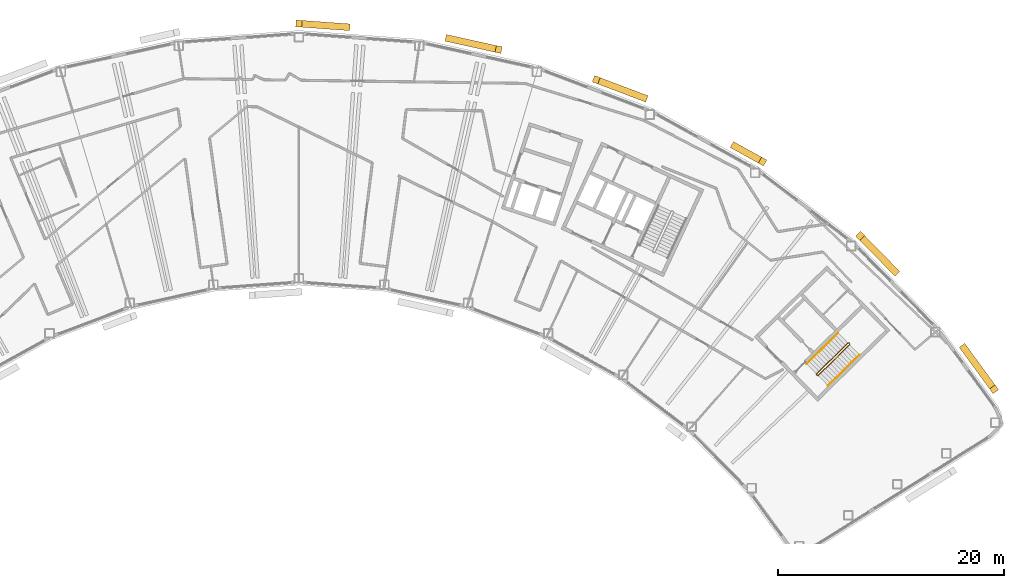
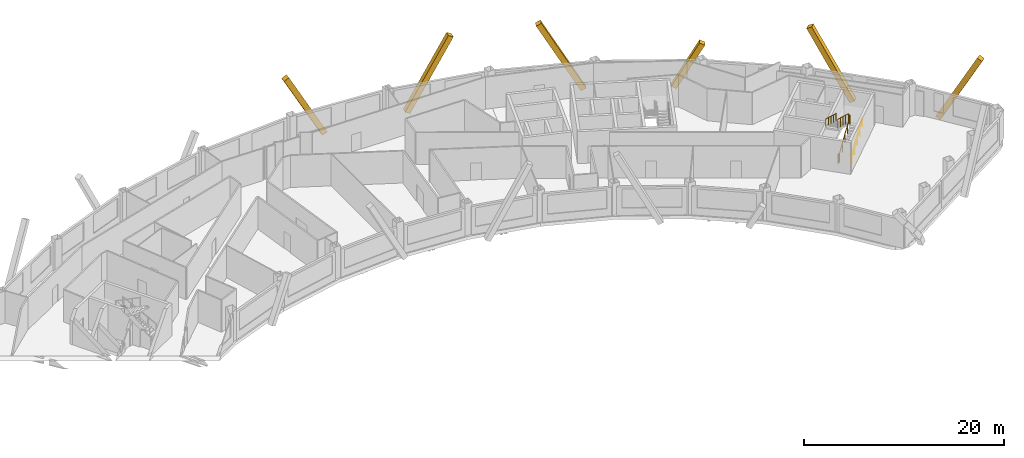
# One storey, part 13 of 13: 6 coverings, 3 railings.
"""IFC4 building model written with IfcOpenShell, lengths in metres."""

from ifc_helpers import new_model, si_unit, direction, frame, origin, origin_2d, place, context, subcontext, project, spatial, rectangle, circle, extrude, material, material_profile, profile_set, type_object, element, save


model = new_model("IFC4")

# Units and contexts
model_context = context("Model", 3, precision=1e-05, world=origin(), true_north=direction((0.0, 1.0)))
body_context = subcontext(model_context, "Body", "Model", "MODEL_VIEW")
ifc_project = project(units=[si_unit("LENGTHUNIT", "METRE"), si_unit("AREAUNIT", "SQUARE_METRE"), si_unit("VOLUMEUNIT", "CUBIC_METRE"), si_unit("PLANEANGLEUNIT", "RADIAN"), si_unit("MASSUNIT", "GRAM", prefix="KILO")], contexts=[model_context])

# Site, building, storey
site_placement = place(None, origin())
site = spatial("IfcSite", under=ifc_project, at=site_placement, CompositionType="ELEMENT")
building_placement = place(site_placement, origin())
building = spatial("IfcBuilding", under=site, at=building_placement, Name="Tuul Gate Civic Tower", CompositionType="ELEMENT")
storey_placement = place(building_placement, frame((0.0, 0.0, 319.699951171875)))
storey = spatial("IfcBuildingStorey", under=building, at=storey_placement, Name="Level 72", CompositionType="ELEMENT", Elevation=319.699951171875)

# Railings
ifc_material_1 = material(Name="Painted steel", Category="steel")
railing_type_1 = type_object("IfcRailingType", Name="Stair guard", PredefinedType="GUARDRAIL", material=ifc_material_1)
railing_1_placement = place(storey_placement, frame((48.10546875, -16.134765625, 0.0)))
element("IfcRailing", 1, at=railing_1_placement, inside=storey, type_object=railing_type_1, Name="Level 72 ST-3 stair guard 1", PredefinedType="GUARDRAIL", context=body_context, shape_type="SweptSolid", body=[
    extrude(circle(Radius=0.02392578125, at=origin_2d()), frame((0.0, 0.0, 1.076171875), z_axis=(-0.698506948293, 0.715603272202, 0.0), x_axis=(-0.715603272202, -0.698506948293, 0.0)), (0.0, 0.0, 1.0), 0.099853515625),
    extrude(circle(Radius=0.02392578125, at=origin_2d()), frame((-0.06982421875, 0.071533203125, 1.076171875), z_axis=(0.644948864628, -0.331432055434, 0.688617277337), x_axis=(0.457068866502, 0.889431307788, 0.0)), (0.0, 0.0, 1.0), 0.218017578125),
    extrude(circle(Radius=0.02392578125, at=origin_2d()), frame((0.07080078125, -0.000732421875, 1.22607421875), z_axis=(0.638731261263, 0.626133563701, 0.447190268558), x_axis=(-0.700029477518, 0.714113947914, 0.0)), (0.0, 0.0, 1.0), 4.3603515625),
    extrude(circle(Radius=0.02392578125, at=origin_2d()), frame((2.85595703125, 2.7294921875, 3.17626953125), z_axis=(0.010380063588, 0.999946125689, 0.0), x_axis=(-0.999946125689, 0.010380063588, 0.0)), (0.0, 0.0, 1.0), 0.070556640625),
    extrude(circle(Radius=0.02392578125, at=origin_2d()), frame((2.856689453125, 2.800048828125, 3.17626953125), z_axis=(-0.699754442181, 0.714383454909, 0.0), x_axis=(-0.714383454909, -0.699754442181, 0.0)), (0.0, 0.0, 1.0), 0.10009765625),
    extrude(circle(Radius=0.02392578125, at=origin_2d()), frame((2.78662109375, 2.87158203125, 3.17626953125), z_axis=(-0.427069033481, 0.004417955519, 0.904208229508), x_axis=(-0.010344274102, -0.999946496565, 0.0)), (0.0, 0.0, 1.0), 0.165771484375),
    extrude(circle(Radius=0.02392578125, at=origin_2d()), frame((2.7158203125, 2.872314453125, 3.326171875), z_axis=(-0.638731261263, -0.626133563701, 0.447190268558), x_axis=(0.700029477518, -0.714113947914, 0.0)), (0.0, 0.0, 1.0), 4.3603515625),
    extrude(circle(Radius=0.02099609375, at=origin_2d()), origin(), (0.0, 0.0, 1.0), 1.052001953125),
    extrude(circle(Radius=0.02099609375, at=origin_2d()), frame((-0.06982421875, 0.071533203125, 0.0)), (0.0, 0.0, 1.0), 1.052001953125),
    extrude(circle(Radius=0.02099609375, at=origin_2d()), frame((0.07080078125, -0.000732421875, 0.150146484375)), (0.0, 0.0, 1.0), 1.052001953125),
    extrude(circle(Radius=0.02099609375, at=origin_2d()), frame((0.76708984375, 0.681884765625, 0.6376953125)), (0.0, 0.0, 1.0), 1.052001953125),
    extrude(circle(Radius=0.02099609375, at=origin_2d()), frame((1.46337890625, 1.3642578125, 1.125)), (0.0, 0.0, 1.0), 1.052001953125),
    extrude(circle(Radius=0.02099609375, at=origin_2d()), frame((2.15966796875, 2.046875, 1.612548828125)), (0.0, 0.0, 1.0), 1.052001953125),
    extrude(circle(Radius=0.02099609375, at=origin_2d()), frame((2.85595703125, 2.7294921875, 2.10009765625)), (0.0, 0.0, 1.0), 1.052001953125),
    extrude(circle(Radius=0.02099609375, at=origin_2d()), frame((2.856689453125, 2.800048828125, 2.10009765625)), (0.0, 0.0, 1.0), 1.052001953125),
    extrude(circle(Radius=0.02099609375, at=origin_2d()), frame((2.78662109375, 2.87158203125, 2.10009765625)), (0.0, 0.0, 1.0), 1.052001953125),
    extrude(circle(Radius=0.02099609375, at=origin_2d()), frame((2.7158203125, 2.872314453125, 2.25)), (0.0, 0.0, 1.0), 1.052001953125),
    extrude(circle(Radius=0.02099609375, at=origin_2d()), frame((2.01953125, 2.189697265625, 2.737548828125)), (0.0, 0.0, 1.0), 1.052001953125),
    extrude(circle(Radius=0.02099609375, at=origin_2d()), frame((1.3232421875, 1.50732421875, 3.22509765625)), (0.0, 0.0, 1.0), 1.052001953125),
    extrude(circle(Radius=0.02099609375, at=origin_2d()), frame((0.626953125, 0.82470703125, 3.71240234375)), (0.0, 0.0, 1.0), 1.052001953125),
    extrude(circle(Radius=0.02099609375, at=origin_2d()), frame((-0.0693359375, 0.14208984375, 4.199951171875)), (0.0, 0.0, 1.0), 1.052001953125),
])
ifc_material_2 = material(Name="Painted steel", Category="steel")
railing_type_2 = type_object("IfcRailingType", Name="Stair handrail", PredefinedType="HANDRAIL", material=ifc_material_2)
railing_2_placement = place(storey_placement, frame((49.05126953125, -17.028076171875, 0.150146484375)))
element("IfcRailing", 2, at=railing_2_placement, inside=storey, type_object=railing_type_2, Name="Level 72 ST-3 stair handrail 1", PredefinedType="HANDRAIL", context=body_context, shape_type="SweptSolid", body=[
    extrude(circle(Radius=0.02392578125, at=origin_2d()), frame((0.0, 0.0, 0.8759765625), z_axis=(0.638753653487, 0.626099522554, 0.447205945863), x_axis=(-0.699997553204, 0.714145241186, 0.0)), (0.0, 0.0, 1.0), 4.3603515625),
    extrude(circle(Radius=0.02099609375, at=origin_2d()), origin(), (0.0, 0.0, 1.0), 0.851806640625),
    extrude(circle(Radius=0.02099609375, at=origin_2d()), frame((0.6962890625, 0.6826171875, 0.487548828125)), (0.0, 0.0, 1.0), 0.851806640625),
    extrude(circle(Radius=0.02099609375, at=origin_2d()), frame((1.392578125, 1.364990234375, 0.97509765625)), (0.0, 0.0, 1.0), 0.851806640625),
    extrude(circle(Radius=0.02099609375, at=origin_2d()), frame((2.0888671875, 2.04736328125, 1.46240234375)), (0.0, 0.0, 1.0), 0.851806640625),
    extrude(circle(Radius=0.02099609375, at=origin_2d()), frame((2.78515625, 2.72998046875, 1.949951171875)), (0.0, 0.0, 1.0), 0.851806640625),
])
railing_3_placement = place(storey_placement, frame((49.9462890625, -12.369873046875, 2.25)))
element("IfcRailing", 3, at=railing_3_placement, inside=storey, type_object=railing_type_2, Name="Level 72 ST-3 stair handrail 2", PredefinedType="HANDRAIL", context=body_context, shape_type="SweptSolid", body=[
    extrude(circle(Radius=0.02392578125, at=origin_2d()), frame((0.0, 0.0, 0.8759765625), z_axis=(-0.638753653487, -0.626099522554, 0.447205945863), x_axis=(0.699997553204, -0.714145241186, 0.0)), (0.0, 0.0, 1.0), 4.3603515625),
    extrude(circle(Radius=0.02099609375, at=origin_2d()), origin(), (0.0, 0.0, 1.0), 0.851806640625),
    extrude(circle(Radius=0.02099609375, at=origin_2d()), frame((-0.6962890625, -0.6826171875, 0.487548828125)), (0.0, 0.0, 1.0), 0.851806640625),
    extrude(circle(Radius=0.02099609375, at=origin_2d()), frame((-1.392578125, -1.364990234375, 0.97509765625)), (0.0, 0.0, 1.0), 0.851806640625),
    extrude(circle(Radius=0.02099609375, at=origin_2d()), frame((-2.0888671875, -2.04736328125, 1.46240234375)), (0.0, 0.0, 1.0), 0.851806640625),
    extrude(circle(Radius=0.02099609375, at=origin_2d()), frame((-2.78515625, -2.72998046875, 1.949951171875)), (0.0, 0.0, 1.0), 0.851806640625),
])

# Coverings
ifc_material_3 = material(Name="Terracotta baguette", Category="masonry")
ifc_material_profile = material_profile(ifc_material_3, rectangle(XDim=0.60009765625, YDim=0.60009765625, at=origin_2d()), Name="Terracotta baguette screen frame")
ifc_profile_set = profile_set([ifc_material_profile], Name="Terracotta baguette")
covering_type = type_object("IfcCoveringType", Name="Terracotta baguette screen frame", PredefinedType="CLADDING", material=ifc_profile_set)
covering_1_placement = place(storey_placement, frame((63.751708984375, -17.356689453125, 8.050048828125), z_axis=(-0.281347031802, 0.385236479627, -0.878883782113), x_axis=(-0.807562783626, -0.58978161255, 0.0)))
element("IfcCovering", 4, at=covering_1_placement, inside=storey, type_object=covering_type, Name="Baguette 17", PredefinedType="CLADDING", context=body_context, shape_type="SweptSolid", body=[
    extrude(rectangle(XDim=0.60009765625, YDim=0.60009765625, at=origin_2d()), origin(), (0.0, 0.0, 1.0), 9.557373046875),
])
covering_2_placement = place(storey_placement, frame((51.885498046875, -3.76123046875, 7.88232421875), z_axis=(0.332656594537, -0.33931077022, -0.879890783747), x_axis=(0.714073915719, 0.700070312819, 0.0)))
element("IfcCovering", 5, at=covering_2_placement, inside=storey, type_object=covering_type, Name="Baguette 32", PredefinedType="CLADDING", context=body_context, shape_type="SweptSolid", body=[
    extrude(rectangle(XDim=0.60009765625, YDim=0.60009765625, at=origin_2d()), origin(), (0.0, 0.0, 1.0), 9.35595703125),
])
covering_3_placement = place(storey_placement, frame((43.252197265625, 2.8125, 4.923828125), z_axis=(-0.415603488122, 0.2303884474, -0.879883460445), x_axis=(-0.484834849005, -0.874605722135, 0.0)))
element("IfcCovering", 6, at=covering_3_placement, inside=storey, type_object=covering_type, Name="Baguette 38", PredefinedType="CLADDING", context=body_context, shape_type="SweptSolid", body=[
    extrude(rectangle(XDim=0.60009765625, YDim=0.60009765625, at=origin_2d()), origin(), (0.0, 0.0, 1.0), 5.99365234375),
])
covering_4_placement = place(storey_placement, frame((28.518310546875, 10.055908203125, 8.050048828125), z_axis=(0.444449007562, -0.168071746228, -0.879895998284), x_axis=(0.353711403676, 0.935354608108, 0.0)))
element("IfcCovering", 7, at=covering_4_placement, inside=storey, type_object=covering_type, Name="Baguette 53", PredefinedType="CLADDING", context=body_context, shape_type="SweptSolid", body=[
    extrude(rectangle(XDim=0.60009765625, YDim=0.60009765625, at=origin_2d()), origin(), (0.0, 0.0, 1.0), 9.54638671875),
])
covering_5_placement = place(storey_placement, frame((19.874755859375, 12.735107421875, 8.050048828125), z_axis=(-0.464036772307, 0.102269663955, -0.879892487627), x_axis=(-0.215226248943, -0.976564212823, 0.0)))
element("IfcCovering", 8, at=covering_5_placement, inside=storey, type_object=covering_type, Name="Baguette 59", PredefinedType="CLADDING", context=body_context, shape_type="SweptSolid", body=[
    extrude(rectangle(XDim=0.60009765625, YDim=0.60009765625, at=origin_2d()), origin(), (0.0, 0.0, 1.0), 9.546630859375),
])
covering_6_placement = place(storey_placement, frame((2.19189453125, 15.031005859375, 7.5517578125), z_axis=(0.473940226349, -0.034336402563, -0.879887307163), x_axis=(0.072259413527, 0.997385871745, 0.0)))
element("IfcCovering", 9, at=covering_6_placement, inside=storey, type_object=covering_type, Name="Baguette 74", PredefinedType="CLADDING", context=body_context, shape_type="SweptSolid", body=[
    extrude(rectangle(XDim=0.60009765625, YDim=0.60009765625, at=origin_2d()), origin(), (0.0, 0.0, 1.0), 8.980224609375),
])

save(model, "model.ifc")
